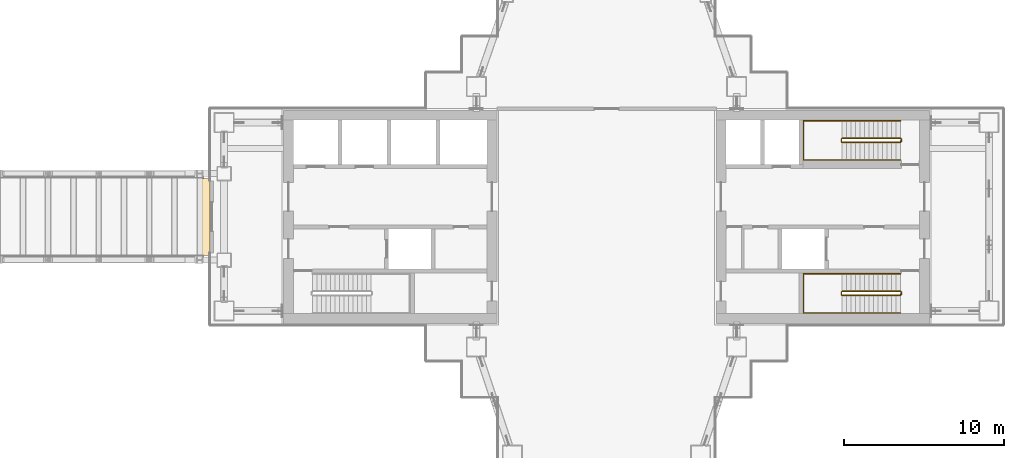
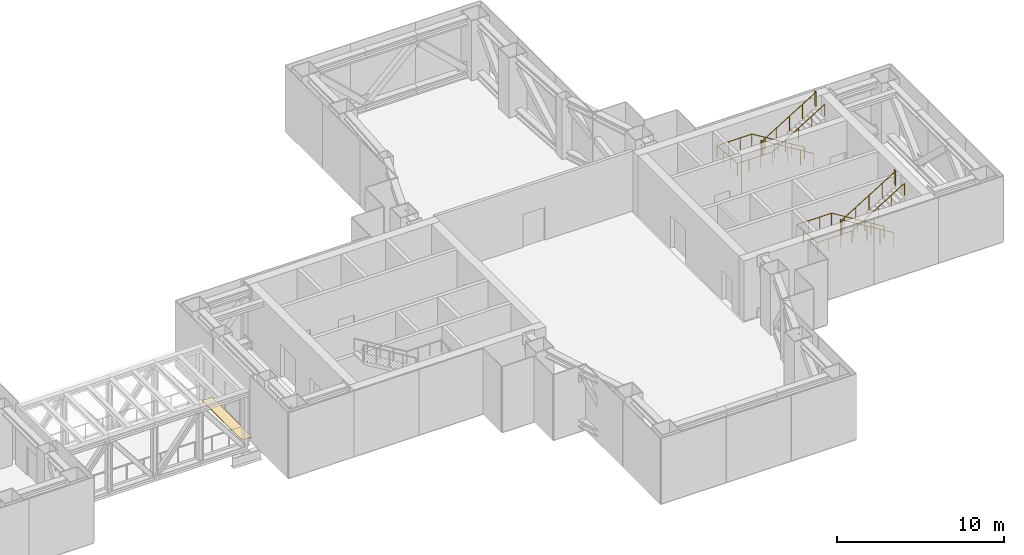
# One storey, part 21 of 21: 4 railings, 1 covering.
"""IFC4 building model written with IfcOpenShell, lengths in metres."""

from ifc_helpers import new_model, si_unit, direction, frame, origin, origin_2d, place, context, subcontext, project, spatial, polyline, circle, outline, extrude, material, layer, layer_set, type_object, element, save


model = new_model("IFC4")

# Units and contexts
model_context = context("Model", 3, precision=1e-05, world=origin(), true_north=direction((0.0, 1.0)))
body_context = subcontext(model_context, "Body", "Model", "MODEL_VIEW")
ifc_project = project(units=[si_unit("LENGTHUNIT", "METRE"), si_unit("AREAUNIT", "SQUARE_METRE"), si_unit("VOLUMEUNIT", "CUBIC_METRE"), si_unit("PLANEANGLEUNIT", "RADIAN"), si_unit("MASSUNIT", "GRAM", prefix="KILO")], contexts=[model_context])

# Site, building, storey
site_placement = place(None, origin())
site = spatial("IfcSite", under=ifc_project, at=site_placement, CompositionType="ELEMENT")
building_placement = place(site_placement, origin())
building = spatial("IfcBuilding", under=site, at=building_placement, Name="Shamsa Quay Exchange Towers", CompositionType="ELEMENT")
storey_placement = place(building_placement, frame((0.0, 0.0, 128.699951171875)))
storey = spatial("IfcBuildingStorey", under=building, at=storey_placement, Name="L30", CompositionType="ELEMENT", Elevation=128.699951171875)

# Railings
ifc_material_1 = material(Name="Stainless steel", Category="steel")
railing_type_1 = type_object("IfcRailingType", Name="STAIR GUARD 1100", PredefinedType="GUARDRAIL", material=ifc_material_1)
railing_1_placement = place(storey_placement, frame((52.10009765625, -4.64990234375, 0.17138671875)))
element("IfcRailing", 1, at=railing_1_placement, inside=storey, type_object=railing_type_1, Name="L30 ST5 stair guard 1", PredefinedType="GUARDRAIL", context=body_context, shape_type="SweptSolid", body=[
    extrude(circle(Radius=0.02392578125, at=origin_2d()), frame((0.0, 0.0, 1.076171875), z_axis=(-0.852840387347, 0.0, 0.522171689878), x_axis=(0.0, -1.0, 0.0)), (0.0, 0.0, 1.0), 4.268310546875),
    extrude(circle(Radius=0.02392578125, at=origin_2d()), frame((-3.64013671875, 0.0, 3.3046875), z_axis=(-0.707106781187, -0.707106781187, 0.0), x_axis=(0.707106781187, -0.707106781187, 0.0)), (0.0, 0.0, 1.0), 0.07080078125),
    extrude(circle(Radius=0.02392578125, at=origin_2d()), frame((-3.690185546875, -0.050048828125, 3.3046875), z_axis=(0.0, -1.0, 0.0), x_axis=(1.0, 0.0, 0.0)), (0.0, 0.0, 1.0), 0.150146484375),
    extrude(circle(Radius=0.02392578125, at=origin_2d()), frame((-3.690185546875, -0.2001953125, 3.3046875), z_axis=(0.270006937388, -0.268689830376, 0.924609122178), x_axis=(0.705375805398, 0.708833529934, 0.0)), (0.0, 0.0, 1.0), 0.185302734375),
    extrude(circle(Radius=0.02392578125, at=origin_2d()), frame((-3.64013671875, -0.25, 3.47607421875), z_axis=(0.852865859571, 0.0, 0.52213008492), x_axis=(0.0, 1.0, 0.0)), (0.0, 0.0, 1.0), 4.26806640625),
    extrude(circle(Radius=0.02392578125, at=origin_2d()), frame((0.0, -0.25, 5.70458984375), z_axis=(0.241699205484, 0.970351222016, 0.0), x_axis=(-0.970351222016, 0.241699205484, 0.0)), (0.0, 0.0, 1.0), 0.2060546875),
    extrude(circle(Radius=0.02392578125, at=origin_2d()), frame((0.0498046875, -0.050048828125, 5.70458984375), z_axis=(0.0, -1.0, 0.0), x_axis=(1.0, 0.0, 0.0)), (0.0, 0.0, 1.0), 0.150146484375),
    extrude(circle(Radius=0.02099609375, at=origin_2d()), origin(), (0.0, 0.0, 1.0), 1.052001953125),
    extrude(circle(Radius=0.02099609375, at=origin_2d()), frame((-0.91015625, 0.0, 0.55712890625)), (0.0, 0.0, 1.0), 1.052001953125),
    extrude(circle(Radius=0.02099609375, at=origin_2d()), frame((-1.820068359375, 0.0, 1.1142578125)), (0.0, 0.0, 1.0), 1.052001953125),
    extrude(circle(Radius=0.02099609375, at=origin_2d()), frame((-2.72998046875, 0.0, 1.671630859375)), (0.0, 0.0, 1.0), 1.052001953125),
    extrude(circle(Radius=0.02099609375, at=origin_2d()), frame((-3.64013671875, 0.0, 2.228759765625)), (0.0, 0.0, 1.0), 1.052001953125),
    extrude(circle(Radius=0.02099609375, at=origin_2d()), frame((-3.690185546875, -0.050048828125, 2.228759765625)), (0.0, 0.0, 1.0), 1.052001953125),
    extrude(circle(Radius=0.02099609375, at=origin_2d()), frame((-3.690185546875, -0.2001953125, 2.228759765625)), (0.0, 0.0, 1.0), 1.052001953125),
    extrude(circle(Radius=0.02099609375, at=origin_2d()), frame((-3.64013671875, -0.25, 2.400146484375)), (0.0, 0.0, 1.0), 1.052001953125),
    extrude(circle(Radius=0.02099609375, at=origin_2d()), frame((-2.72998046875, -0.25, 2.957275390625)), (0.0, 0.0, 1.0), 1.052001953125),
    extrude(circle(Radius=0.02099609375, at=origin_2d()), frame((-1.820068359375, -0.25, 3.514404296875)), (0.0, 0.0, 1.0), 1.052001953125),
    extrude(circle(Radius=0.02099609375, at=origin_2d()), frame((-0.91015625, -0.25, 4.071533203125)), (0.0, 0.0, 1.0), 1.052001953125),
    extrude(circle(Radius=0.02099609375, at=origin_2d()), frame((0.0, -0.25, 4.628662109375)), (0.0, 0.0, 1.0), 1.052001953125),
    extrude(circle(Radius=0.02099609375, at=origin_2d()), frame((0.0498046875, -0.050048828125, 4.628662109375)), (0.0, 0.0, 1.0), 1.052001953125),
    extrude(circle(Radius=0.02099609375, at=origin_2d()), frame((0.0498046875, -0.2001953125, 4.628662109375)), (0.0, 0.0, 1.0), 1.052001953125),
])
railing_2_placement = place(storey_placement, frame((52.10009765625, 4.89990234375, 0.17138671875)))
element("IfcRailing", 2, at=railing_2_placement, inside=storey, type_object=railing_type_1, Name="L30 ST6 stair guard 1", PredefinedType="GUARDRAIL", context=body_context, shape_type="SweptSolid", body=[
    extrude(circle(Radius=0.02392578125, at=origin_2d()), frame((0.0, 0.0, 1.076171875), z_axis=(-0.852840387347, 0.0, 0.522171689878), x_axis=(0.0, -1.0, 0.0)), (0.0, 0.0, 1.0), 4.268310546875),
    extrude(circle(Radius=0.02392578125, at=origin_2d()), frame((-3.64013671875, 0.0, 3.3046875), z_axis=(-0.708833529934, -0.705375805398, 0.0), x_axis=(0.705375805398, -0.708833529934, 0.0)), (0.0, 0.0, 1.0), 0.070556640625),
    extrude(circle(Radius=0.02392578125, at=origin_2d()), frame((-3.690185546875, -0.0498046875, 3.3046875), z_axis=(0.0, -1.0, 0.0), x_axis=(1.0, 0.0, 0.0)), (0.0, 0.0, 1.0), 0.150146484375),
    extrude(circle(Radius=0.02392578125, at=origin_2d()), frame((-3.690185546875, -0.199951171875, 3.3046875), z_axis=(0.269911200495, -0.269911200495, 0.924281281696), x_axis=(0.707106781187, 0.707106781187, 0.0)), (0.0, 0.0, 1.0), 0.185546875),
    extrude(circle(Radius=0.02392578125, at=origin_2d()), frame((-3.64013671875, -0.25, 3.47607421875), z_axis=(0.852865859571, 0.0, 0.52213008492), x_axis=(0.0, 1.0, 0.0)), (0.0, 0.0, 1.0), 4.26806640625),
    extrude(circle(Radius=0.02392578125, at=origin_2d()), frame((0.0, -0.25, 5.70458984375), z_axis=(0.24142163986, 0.970420317083, 0.0), x_axis=(-0.970420317083, 0.24142163986, 0.0)), (0.0, 0.0, 1.0), 0.206298828125),
    extrude(circle(Radius=0.02392578125, at=origin_2d()), frame((0.0498046875, -0.0498046875, 5.70458984375), z_axis=(0.0, -1.0, 0.0), x_axis=(1.0, 0.0, 0.0)), (0.0, 0.0, 1.0), 0.150146484375),
    extrude(circle(Radius=0.02099609375, at=origin_2d()), origin(), (0.0, 0.0, 1.0), 1.052001953125),
    extrude(circle(Radius=0.02099609375, at=origin_2d()), frame((-0.91015625, 0.0, 0.55712890625)), (0.0, 0.0, 1.0), 1.052001953125),
    extrude(circle(Radius=0.02099609375, at=origin_2d()), frame((-1.820068359375, 0.0, 1.1142578125)), (0.0, 0.0, 1.0), 1.052001953125),
    extrude(circle(Radius=0.02099609375, at=origin_2d()), frame((-2.72998046875, 0.0, 1.671630859375)), (0.0, 0.0, 1.0), 1.052001953125),
    extrude(circle(Radius=0.02099609375, at=origin_2d()), frame((-3.64013671875, 0.0, 2.228759765625)), (0.0, 0.0, 1.0), 1.052001953125),
    extrude(circle(Radius=0.02099609375, at=origin_2d()), frame((-3.690185546875, -0.0498046875, 2.228759765625)), (0.0, 0.0, 1.0), 1.052001953125),
    extrude(circle(Radius=0.02099609375, at=origin_2d()), frame((-3.690185546875, -0.199951171875, 2.228759765625)), (0.0, 0.0, 1.0), 1.052001953125),
    extrude(circle(Radius=0.02099609375, at=origin_2d()), frame((-3.64013671875, -0.25, 2.400146484375)), (0.0, 0.0, 1.0), 1.052001953125),
    extrude(circle(Radius=0.02099609375, at=origin_2d()), frame((-2.72998046875, -0.25, 2.957275390625)), (0.0, 0.0, 1.0), 1.052001953125),
    extrude(circle(Radius=0.02099609375, at=origin_2d()), frame((-1.820068359375, -0.25, 3.514404296875)), (0.0, 0.0, 1.0), 1.052001953125),
    extrude(circle(Radius=0.02099609375, at=origin_2d()), frame((-0.91015625, -0.25, 4.071533203125)), (0.0, 0.0, 1.0), 1.052001953125),
    extrude(circle(Radius=0.02099609375, at=origin_2d()), frame((0.0, -0.25, 4.628662109375)), (0.0, 0.0, 1.0), 1.052001953125),
    extrude(circle(Radius=0.02099609375, at=origin_2d()), frame((0.0498046875, -0.0498046875, 4.628662109375)), (0.0, 0.0, 1.0), 1.052001953125),
    extrude(circle(Radius=0.02099609375, at=origin_2d()), frame((0.0498046875, -0.199951171875, 4.628662109375)), (0.0, 0.0, 1.0), 1.052001953125),
])
railing_type_2 = type_object("IfcRailingType", Name="STAIR HANDRAIL 900", PredefinedType="HANDRAIL", material=ifc_material_1)
railing_3_placement = place(storey_placement, frame((52.10009765625, -3.550048828125, 0.17138671875)))
element("IfcRailing", 3, at=railing_3_placement, inside=storey, type_object=railing_type_2, Name="L30 ST5 stair handrail 1", PredefinedType="HANDRAIL", context=body_context, shape_type="SweptSolid", body=[
    extrude(circle(Radius=0.02392578125, at=origin_2d()), frame((0.0, 0.0, 0.8759765625), z_axis=(-0.852840387347, 0.0, 0.522171689878), x_axis=(0.0, -1.0, 0.0)), (0.0, 0.0, 1.0), 4.268310546875),
    extrude(circle(Radius=0.02392578125, at=origin_2d()), frame((-3.64013671875, 0.0, 3.1044921875), z_axis=(-1.0, 0.0, 0.0), x_axis=(0.0, -1.0, 0.0)), (0.0, 0.0, 1.0), 2.409912109375),
    extrude(circle(Radius=0.02392578125, at=origin_2d()), frame((-6.050048828125, 0.0, 3.1044921875), z_axis=(0.0, -0.99756208224, 0.069784612031), x_axis=(1.0, 0.0, 0.0)), (0.0, 0.0, 1.0), 2.4560546875),
    extrude(circle(Radius=0.02392578125, at=origin_2d()), frame((-6.050048828125, -2.449951171875, 3.27587890625), z_axis=(1.0, 0.0, 0.0), x_axis=(0.0, 1.0, 0.0)), (0.0, 0.0, 1.0), 2.409912109375),
    extrude(circle(Radius=0.02392578125, at=origin_2d()), frame((-3.64013671875, -2.449951171875, 3.27587890625), z_axis=(0.852865859571, 0.0, 0.52213008492), x_axis=(0.0, 1.0, 0.0)), (0.0, 0.0, 1.0), 4.26806640625),
    extrude(circle(Radius=0.02099609375, at=origin_2d()), origin(), (0.0, 0.0, 1.0), 0.851806640625),
    extrude(circle(Radius=0.02099609375, at=origin_2d()), frame((-0.91015625, 0.0, 0.55712890625)), (0.0, 0.0, 1.0), 0.851806640625),
    extrude(circle(Radius=0.02099609375, at=origin_2d()), frame((-1.820068359375, 0.0, 1.1142578125)), (0.0, 0.0, 1.0), 0.851806640625),
    extrude(circle(Radius=0.02099609375, at=origin_2d()), frame((-2.72998046875, 0.0, 1.671630859375)), (0.0, 0.0, 1.0), 0.851806640625),
    extrude(circle(Radius=0.02099609375, at=origin_2d()), frame((-3.64013671875, 0.0, 2.228759765625)), (0.0, 0.0, 1.0), 0.851806640625),
    extrude(circle(Radius=0.02099609375, at=origin_2d()), frame((-4.443359375, 0.0, 2.228759765625)), (0.0, 0.0, 1.0), 0.851806640625),
    extrude(circle(Radius=0.02099609375, at=origin_2d()), frame((-5.246826171875, 0.0, 2.228759765625)), (0.0, 0.0, 1.0), 0.851806640625),
    extrude(circle(Radius=0.02099609375, at=origin_2d()), frame((-6.050048828125, 0.0, 2.228759765625)), (0.0, 0.0, 1.0), 0.851806640625),
    extrude(circle(Radius=0.02099609375, at=origin_2d()), frame((-6.050048828125, -0.816650390625, 2.285888671875)), (0.0, 0.0, 1.0), 0.851806640625),
    extrude(circle(Radius=0.02099609375, at=origin_2d()), frame((-6.050048828125, -1.63330078125, 2.343017578125)), (0.0, 0.0, 1.0), 0.851806640625),
    extrude(circle(Radius=0.02099609375, at=origin_2d()), frame((-6.050048828125, -2.449951171875, 2.400146484375)), (0.0, 0.0, 1.0), 0.851806640625),
    extrude(circle(Radius=0.02099609375, at=origin_2d()), frame((-5.246826171875, -2.449951171875, 2.400146484375)), (0.0, 0.0, 1.0), 0.851806640625),
    extrude(circle(Radius=0.02099609375, at=origin_2d()), frame((-4.443359375, -2.449951171875, 2.400146484375)), (0.0, 0.0, 1.0), 0.851806640625),
    extrude(circle(Radius=0.02099609375, at=origin_2d()), frame((-3.64013671875, -2.449951171875, 2.400146484375)), (0.0, 0.0, 1.0), 0.851806640625),
    extrude(circle(Radius=0.02099609375, at=origin_2d()), frame((-2.72998046875, -2.449951171875, 2.957275390625)), (0.0, 0.0, 1.0), 0.851806640625),
    extrude(circle(Radius=0.02099609375, at=origin_2d()), frame((-1.820068359375, -2.449951171875, 3.514404296875)), (0.0, 0.0, 1.0), 0.851806640625),
    extrude(circle(Radius=0.02099609375, at=origin_2d()), frame((-0.91015625, -2.449951171875, 4.071533203125)), (0.0, 0.0, 1.0), 0.851806640625),
    extrude(circle(Radius=0.02099609375, at=origin_2d()), frame((0.0, -2.449951171875, 4.628662109375)), (0.0, 0.0, 1.0), 0.851806640625),
])
railing_4_placement = place(storey_placement, frame((52.10009765625, 6.0, 0.17138671875)))
element("IfcRailing", 4, at=railing_4_placement, inside=storey, type_object=railing_type_2, Name="L30 ST6 stair handrail 1", PredefinedType="HANDRAIL", context=body_context, shape_type="SweptSolid", body=[
    extrude(circle(Radius=0.02392578125, at=origin_2d()), frame((0.0, 0.0, 0.8759765625), z_axis=(-0.852840387347, 0.0, 0.522171689878), x_axis=(0.0, -1.0, 0.0)), (0.0, 0.0, 1.0), 4.268310546875),
    extrude(circle(Radius=0.02392578125, at=origin_2d()), frame((-3.64013671875, 0.0, 3.1044921875), z_axis=(-1.0, 0.0, 0.0), x_axis=(0.0, -1.0, 0.0)), (0.0, 0.0, 1.0), 2.409912109375),
    extrude(circle(Radius=0.02392578125, at=origin_2d()), frame((-6.050048828125, 0.0, 3.1044921875), z_axis=(0.0, -0.99756208224, 0.069784612031), x_axis=(1.0, 0.0, 0.0)), (0.0, 0.0, 1.0), 2.4560546875),
    extrude(circle(Radius=0.02392578125, at=origin_2d()), frame((-6.050048828125, -2.449951171875, 3.27587890625), z_axis=(1.0, 0.0, 0.0), x_axis=(0.0, 1.0, 0.0)), (0.0, 0.0, 1.0), 2.409912109375),
    extrude(circle(Radius=0.02392578125, at=origin_2d()), frame((-3.64013671875, -2.449951171875, 3.27587890625), z_axis=(0.852865859571, 0.0, 0.52213008492), x_axis=(0.0, 1.0, 0.0)), (0.0, 0.0, 1.0), 4.26806640625),
    extrude(circle(Radius=0.02099609375, at=origin_2d()), origin(), (0.0, 0.0, 1.0), 0.851806640625),
    extrude(circle(Radius=0.02099609375, at=origin_2d()), frame((-0.91015625, 0.0, 0.55712890625)), (0.0, 0.0, 1.0), 0.851806640625),
    extrude(circle(Radius=0.02099609375, at=origin_2d()), frame((-1.820068359375, 0.0, 1.1142578125)), (0.0, 0.0, 1.0), 0.851806640625),
    extrude(circle(Radius=0.02099609375, at=origin_2d()), frame((-2.72998046875, 0.0, 1.671630859375)), (0.0, 0.0, 1.0), 0.851806640625),
    extrude(circle(Radius=0.02099609375, at=origin_2d()), frame((-3.64013671875, 0.0, 2.228759765625)), (0.0, 0.0, 1.0), 0.851806640625),
    extrude(circle(Radius=0.02099609375, at=origin_2d()), frame((-4.443359375, 0.0, 2.228759765625)), (0.0, 0.0, 1.0), 0.851806640625),
    extrude(circle(Radius=0.02099609375, at=origin_2d()), frame((-5.246826171875, 0.0, 2.228759765625)), (0.0, 0.0, 1.0), 0.851806640625),
    extrude(circle(Radius=0.02099609375, at=origin_2d()), frame((-6.050048828125, 0.0, 2.228759765625)), (0.0, 0.0, 1.0), 0.851806640625),
    extrude(circle(Radius=0.02099609375, at=origin_2d()), frame((-6.050048828125, -0.816650390625, 2.285888671875)), (0.0, 0.0, 1.0), 0.851806640625),
    extrude(circle(Radius=0.02099609375, at=origin_2d()), frame((-6.050048828125, -1.63330078125, 2.343017578125)), (0.0, 0.0, 1.0), 0.851806640625),
    extrude(circle(Radius=0.02099609375, at=origin_2d()), frame((-6.050048828125, -2.449951171875, 2.400146484375)), (0.0, 0.0, 1.0), 0.851806640625),
    extrude(circle(Radius=0.02099609375, at=origin_2d()), frame((-5.246826171875, -2.449951171875, 2.400146484375)), (0.0, 0.0, 1.0), 0.851806640625),
    extrude(circle(Radius=0.02099609375, at=origin_2d()), frame((-4.443359375, -2.449951171875, 2.400146484375)), (0.0, 0.0, 1.0), 0.851806640625),
    extrude(circle(Radius=0.02099609375, at=origin_2d()), frame((-3.64013671875, -2.449951171875, 2.400146484375)), (0.0, 0.0, 1.0), 0.851806640625),
    extrude(circle(Radius=0.02099609375, at=origin_2d()), frame((-2.72998046875, -2.449951171875, 2.957275390625)), (0.0, 0.0, 1.0), 0.851806640625),
    extrude(circle(Radius=0.02099609375, at=origin_2d()), frame((-1.820068359375, -2.449951171875, 3.514404296875)), (0.0, 0.0, 1.0), 0.851806640625),
    extrude(circle(Radius=0.02099609375, at=origin_2d()), frame((-0.91015625, -2.449951171875, 4.071533203125)), (0.0, 0.0, 1.0), 0.851806640625),
    extrude(circle(Radius=0.02099609375, at=origin_2d()), frame((0.0, -2.449951171875, 4.628662109375)), (0.0, 0.0, 1.0), 0.851806640625),
])

# Covering
ifc_material_2 = material(Name="Steel S355 chequer plate", Category="steel")
ifc_layer = layer(ifc_material_2, 0.011962890625)
ifc_layer_set = layer_set([ifc_layer], Name="Skybridge joint cover plate 12")
covering_type = type_object("IfcCoveringType", Name="Skybridge joint cover plate 12", PredefinedType="FLOORING", material=ifc_layer_set)
covering_placement = place(storey_placement, origin())
element("IfcCovering", 5, at=covering_placement, inside=storey, type_object=covering_type, Name="Skybridge BR2 joint cover plate", PredefinedType="FLOORING", context=body_context, shape_type="SweptSolid", body=[
    extrude(outline(polyline([(8.300048828125, -2.40380859375), (9.0, -2.40380859375), (9.0, 2.40380859375), (8.300048828125, 2.40380859375), (8.300048828125, -2.40380859375)])), origin(), (0.0, 0.0, 1.0), 0.011962890625),
])

save(model, "model.ifc")
